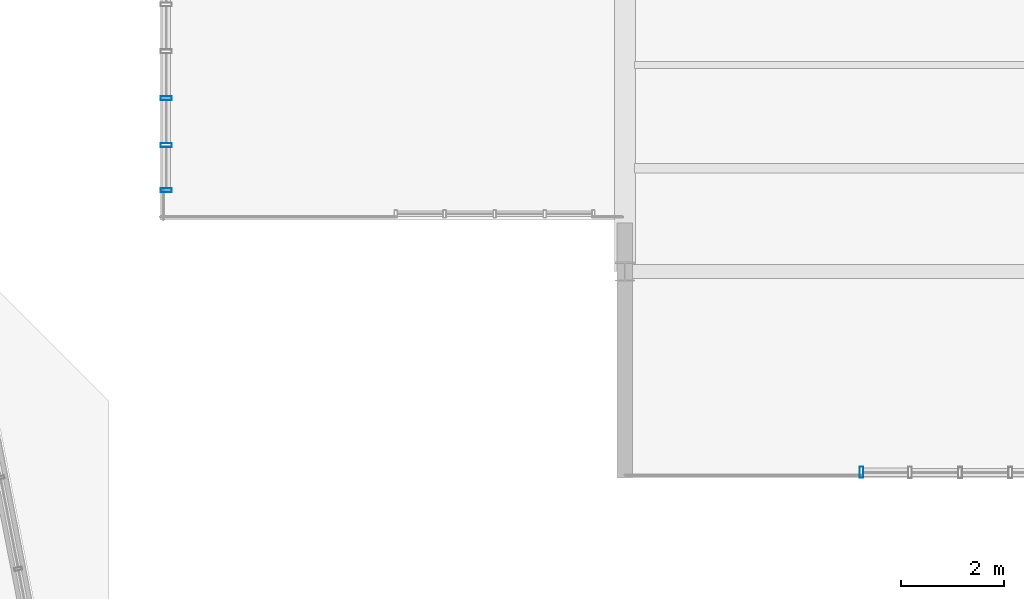
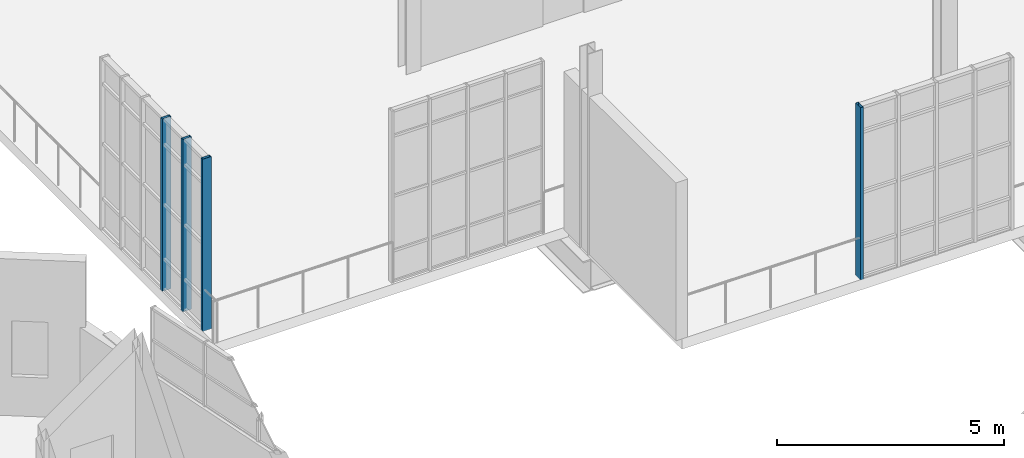
# One storey, part 50 of 142: 4 members, 2 elements without a shape of their own.
"""IFC4 building model written with IfcOpenShell, lengths in metres."""

from ifc_helpers import new_model, si_unit, direction, frame, origin, origin_2d, place, context, subcontext, project, spatial, hollow_rectangle, extrude, material, layer, layer_set, material_profile, profile_set, type_object, element, aggregate, save


model = new_model("IFC4")

# Units and contexts
model_context = context("Model", 3, precision=1e-05, world=origin(), true_north=direction((0.0, 1.0)))
body_context = subcontext(model_context, "Body", "Model", "MODEL_VIEW")
ifc_project = project(units=[si_unit("LENGTHUNIT", "METRE"), si_unit("AREAUNIT", "SQUARE_METRE"), si_unit("VOLUMEUNIT", "CUBIC_METRE"), si_unit("PLANEANGLEUNIT", "RADIAN"), si_unit("MASSUNIT", "GRAM", prefix="KILO"), si_unit("THERMODYNAMICTEMPERATUREUNIT", "KELVIN"), si_unit("POWERUNIT", "WATT")], contexts=[model_context])

# Site, building, storey
site_placement = place(None, origin())
site = spatial("IfcSite", under=ifc_project, at=site_placement, CompositionType="ELEMENT")
building_placement = place(site_placement, origin())
building = spatial("IfcBuilding", under=site, at=building_placement, Name="Zelmaris Science Centre", CompositionType="ELEMENT")
storey_placement = place(building_placement, frame((0.0, 0.0, 5.39990234375)))
storey = spatial("IfcBuildingStorey", under=building, at=storey_placement, Name="L01", CompositionType="ELEMENT", Elevation=5.39990234375)

# Curtain wall, member
ifc_material = material(Name="Anodised architectural aluminium 6063-T6", Category="aluminium")
ifc_layer = layer(ifc_material, 0.199951171875, Name="Anodised architectural aluminium 6063-T6")
ifc_layer_set = layer_set([ifc_layer], Name="Anodised architectural aluminium 6063-T6")
curtain_wall_type = type_object("IfcCurtainWallType", Name="Curtain Wall CW-02", PredefinedType="USERDEFINED", material=ifc_layer_set)
curtain_wall_1_placement = place(storey_placement, origin())
curtain_wall_1 = element("IfcCurtainWall", 1, at=curtain_wall_1_placement, inside=storey, type_object=curtain_wall_type, Name="L01 Unitised curtain wall 182", ObjectType="GLAZED CURTAIN WALL", PredefinedType="USERDEFINED")
ifc_material_profile = material_profile(ifc_material, hollow_rectangle(XDim=0.074951171875, YDim=0.219970703125, WallThickness=0.0048828125, at=origin_2d()), Name="ALU-MUL-75X220")
ifc_profile_set = profile_set([ifc_material_profile], Name="Anodised architectural aluminium 6063-T6")
member_type = type_object("IfcMemberType", Name="ALU-MUL-75X220", PredefinedType="MULLION", material=ifc_profile_set)
member_1_placement = place(storey_placement, frame((112.582763671875, 44.113037109375, -0.014892578125), z_axis=(0.0, 0.0, 1.0), x_axis=(-0.999998836551, 0.001525417175, 0.0)))
member_1 = element("IfcMember", 2, at=member_1_placement, type_object=member_type, Name="CW-02 mullion 5", PredefinedType="MULLION", context=body_context, shape_type="SweptSolid", body=[
    extrude(hollow_rectangle(XDim=0.074951171875, YDim=0.219970703125, WallThickness=0.0048828125, at=origin_2d()), origin(), (0.0, 0.0, 1.0), 4.635009765625),
])
aggregate(curtain_wall_1, [member_1])

# Curtain wall, members
curtain_wall_2_placement = place(storey_placement, origin())
curtain_wall_2 = element("IfcCurtainWall", 3, at=curtain_wall_2_placement, inside=storey, type_object=curtain_wall_type, Name="L01 Unitised curtain wall 186", ObjectType="GLAZED CURTAIN WALL", PredefinedType="USERDEFINED")
member_2_placement = place(storey_placement, frame((99.1201171875, 49.573486328125, -0.014892578125), z_axis=(0.0, 0.0, 1.0), x_axis=(-5.235988e-06, 0.999999999986, 0.0)))
member_2 = element("IfcMember", 4, at=member_2_placement, type_object=member_type, Name="CW-02 mullion 1", PredefinedType="MULLION", context=body_context, shape_type="SweptSolid", body=[
    extrude(hollow_rectangle(XDim=0.074951171875, YDim=0.219970703125, WallThickness=0.0048828125, at=origin_2d()), origin(), (0.0, 0.0, 1.0), 4.635009765625),
])
member_3_placement = place(storey_placement, frame((99.1201171875, 50.447998046875, -0.014892578125), z_axis=(0.0, 0.0, 1.0), x_axis=(-5.235988e-06, 0.999999999986, 0.0)))
member_3 = element("IfcMember", 5, at=member_3_placement, type_object=member_type, Name="CW-02 mullion 2", PredefinedType="MULLION", context=body_context, shape_type="SweptSolid", body=[
    extrude(hollow_rectangle(XDim=0.074951171875, YDim=0.219970703125, WallThickness=0.0048828125, at=origin_2d()), origin(), (0.0, 0.0, 1.0), 4.635009765625),
])
member_4_placement = place(storey_placement, frame((99.1201171875, 51.35595703125, -0.014892578125), z_axis=(0.0, 0.0, 1.0), x_axis=(-5.235988e-06, 0.999999999986, 0.0)))
member_4 = element("IfcMember", 6, at=member_4_placement, type_object=member_type, Name="CW-02 mullion 3", PredefinedType="MULLION", context=body_context, shape_type="SweptSolid", body=[
    extrude(hollow_rectangle(XDim=0.074951171875, YDim=0.219970703125, WallThickness=0.0048828125, at=origin_2d()), origin(), (0.0, 0.0, 1.0), 4.635009765625),
])
aggregate(curtain_wall_2, [member_2, member_3, member_4])

save(model, "model.ifc")
